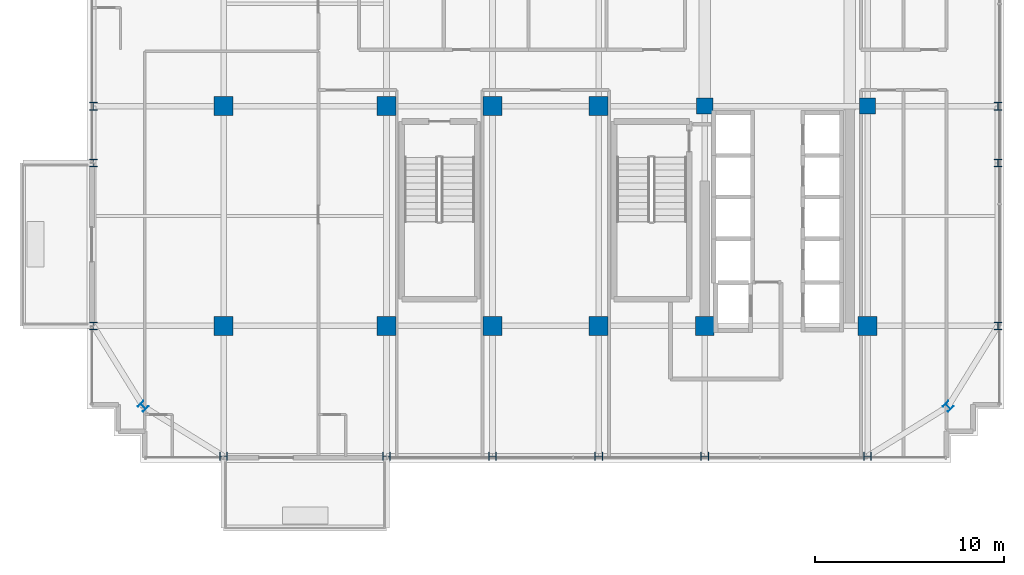
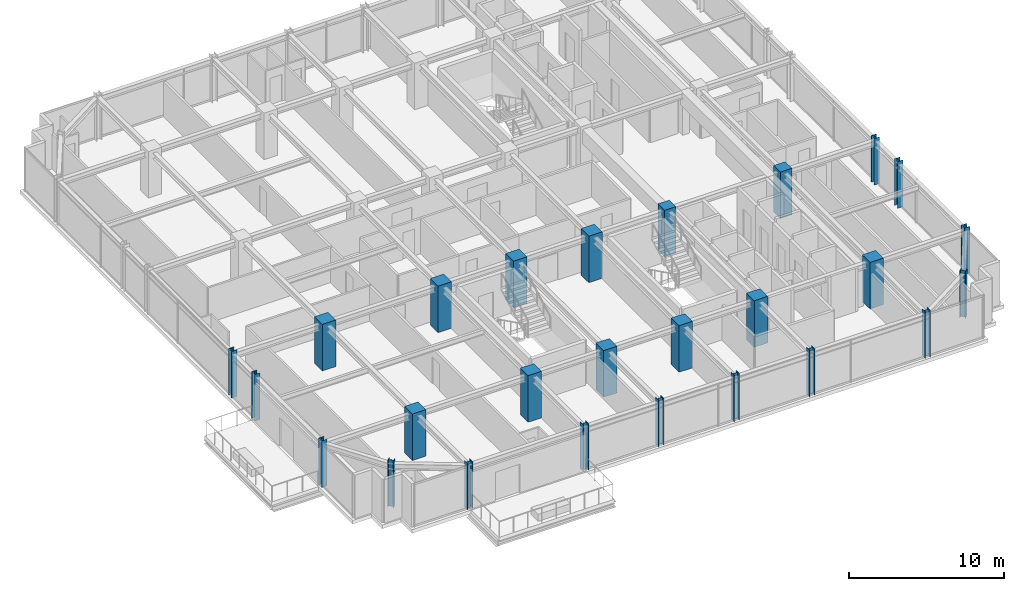
# One storey, part 1 of 35: 26 columns.
"""IFC4 building model written with IfcOpenShell, lengths in metres."""

import ifcopenshell
import ifcopenshell.guid

model = None  # the IFC model being written
_history = None  # IfcOwnerHistory: only IFC2X3 demands one
_inside = {}  # id of a spatial element -> (the spatial element, [elements in it])
_under = {}  # id of a project, library or spatial element -> (it, [spatial elements below it])
_declared = {}  # id of a project -> (the project, [libraries it declares])
_typed = {}  # id of a type object -> (the type object, [elements of that type])
_made_of = {}  # id of a material, layer set ... -> (it, [elements and type objects made of it])


def new_model(schema):
    """Start an empty IFC model of exactly this schema.

    Asked for "IFC4X3", IfcOpenShell would pick the latest addendum, in which some entities
    have other attributes; the version numbers below select the first issue.
    IFC2X3 requires an IfcOwnerHistory on every rooted entity: one is made here for all.
    """
    global model, _history
    if schema == "IFC4X3":
        model = ifcopenshell.file(schema_version=(4, 3, 0, 0))
    else:
        model = ifcopenshell.file(schema=schema)
    _inside.clear()
    _under.clear()
    _declared.clear()
    _typed.clear()
    _made_of.clear()
    _history = None
    if model.schema == "IFC2X3":
        org = make("IfcOrganization", Name="unknown")
        user = make(
            "IfcPersonAndOrganization",
            ThePerson=make("IfcPerson", FamilyName="unknown"),
            TheOrganization=org,
        )
        app = make(
            "IfcApplication",
            ApplicationDeveloper=org,
            Version="unknown",
            ApplicationFullName="unknown",
            ApplicationIdentifier="unknown",
        )
        _history = make(
            "IfcOwnerHistory",
            OwningUser=user,
            OwningApplication=app,
            ChangeAction="ADDED",
            CreationDate=0,
        )
    return model


def make(cls, **values):
    """One entity of the class cls with the attributes given. An attribute that is None is left unset."""
    return model.create_entity(
        cls, **{name: value for name, value in values.items() if value is not None}
    )


def rooted(cls, **values):
    """An entity with a GlobalId (a new one), such as an element, a storey or a relation."""
    return make(cls, GlobalId=ifcopenshell.guid.new(), OwnerHistory=_history, **values)


def si_unit(unit_type, name, prefix=None):
    """IfcSIUnit, for example si_unit("LENGTHUNIT", "METRE", prefix="MILLI")."""
    return make("IfcSIUnit", UnitType=unit_type, Prefix=prefix, Name=name)


def assignment(units):
    """IfcUnitAssignment: the units of a project."""
    return None if units is None else make("IfcUnitAssignment", Units=units)


def point(xyz):
    """IfcCartesianPoint."""
    return None if xyz is None else make("IfcCartesianPoint", Coordinates=xyz)


def direction(xyz):
    """IfcDirection."""
    return None if xyz is None else make("IfcDirection", DirectionRatios=xyz)


def frame(location, z_axis=None, x_axis=None):
    """IfcAxis2Placement3D, a coordinate frame: its origin and axes. An axis left out is left unset."""
    return make(
        "IfcAxis2Placement3D",
        Location=point(location),
        Axis=direction(z_axis),
        RefDirection=direction(x_axis),
    )


def frame_2d(location, x_axis=None):
    """IfcAxis2Placement2D, a coordinate frame in the plane: its origin and x axis."""
    return make(
        "IfcAxis2Placement2D", Location=point(location), RefDirection=direction(x_axis)
    )


def origin():
    """The frame at (0, 0, 0) with its axes left unset."""
    return frame((0.0, 0.0, 0.0))


def origin_2d():
    """The frame at (0, 0) in the plane with its x axis left unset."""
    return frame_2d((0.0, 0.0))


def place(relative_to, where):
    """IfcLocalPlacement: puts the frame where relative to a parent placement (None: the world)."""
    return make(
        "IfcLocalPlacement", PlacementRelTo=relative_to, RelativePlacement=where
    )


def context(
    kind, dimensions, precision=None, world=None, true_north=None, identifier=None
):
    """IfcGeometricRepresentationContext, for example the 3D "Model" context."""
    return make(
        "IfcGeometricRepresentationContext",
        ContextIdentifier=identifier,
        ContextType=kind,
        CoordinateSpaceDimension=dimensions,
        Precision=precision,
        WorldCoordinateSystem=world,
        TrueNorth=true_north,
    )


def subcontext(parent, identifier, kind, view, scale=None):
    """IfcGeometricRepresentationSubContext, for example "Body" below "Model"."""
    return make(
        "IfcGeometricRepresentationSubContext",
        ContextIdentifier=identifier,
        ContextType=kind,
        ParentContext=parent,
        TargetScale=scale,
        TargetView=view,
    )


def project(units=None, contexts=None):
    """IfcProject with its units and contexts."""
    return rooted(
        "IfcProject",
        Name="project",
        RepresentationContexts=contexts,
        UnitsInContext=assignment(units),
    )


def spatial(cls, under=None, at=None, **own):
    """A site, building, storey or space (cls), placed at a placement, below another one or the project."""
    s = rooted(cls, ObjectPlacement=at, **own)
    if under is not None:
        _under.setdefault(under.id(), (under, []))[1].append(s)
    return s


def profile(cls, at=None, kind="AREA", **sizes):
    """A parametric profile (cls). Its sizes go by their IFC names, for example OverallWidth=200.0."""
    return make(cls, ProfileType=kind, Position=at, **sizes)


def rectangle(**sizes):
    """IfcRectangleProfileDef."""
    return profile("IfcRectangleProfileDef", **sizes)


def i_section(**sizes):
    """IfcIShapeProfileDef."""
    return profile("IfcIShapeProfileDef", **sizes)


def extrude(swept, where, along, depth):
    """IfcExtrudedAreaSolid: the profile swept, set in the frame where, extruded along a direction by depth."""
    return make(
        "IfcExtrudedAreaSolid",
        SweptArea=swept,
        Position=where,
        ExtrudedDirection=direction(along),
        Depth=depth,
    )


def shape(context_of_items, identifier, shape_type, items):
    """IfcShapeRepresentation: the items that make up one representation, for example the "Body"."""
    return make(
        "IfcShapeRepresentation",
        ContextOfItems=context_of_items,
        RepresentationIdentifier=identifier,
        RepresentationType=shape_type,
        Items=items,
    )


def source(mapping_origin, context_of_items, identifier, shape_type, items):
    """IfcRepresentationMap: a shape defined once, which mapped items show again and again."""
    return make(
        "IfcRepresentationMap",
        MappingOrigin=mapping_origin,
        MappedRepresentation=shape(context_of_items, identifier, shape_type, items),
    )


def transform(
    local_origin,
    x_axis=None,
    y_axis=None,
    z_axis=None,
    scale=None,
    scale2=None,
    scale3=None,
    uniform=True,
):
    """IfcCartesianTransformationOperator3D, or its non-uniform kind. x_axis, y_axis, z_axis: its Axis1, 2, 3."""
    if uniform:
        return make(
            "IfcCartesianTransformationOperator3D",
            Axis1=direction(x_axis),
            Axis2=direction(y_axis),
            LocalOrigin=point(local_origin),
            Scale=scale,
            Axis3=direction(z_axis),
        )
    return make(
        "IfcCartesianTransformationOperator3DnonUniform",
        Axis1=direction(x_axis),
        Axis2=direction(y_axis),
        LocalOrigin=point(local_origin),
        Scale=scale,
        Axis3=direction(z_axis),
        Scale2=scale2,
        Scale3=scale3,
    )


def mapped(mapping_source, mapping_target):
    """IfcMappedItem: shows the shape of a source again, moved by a transform."""
    return make(
        "IfcMappedItem", MappingSource=mapping_source, MappingTarget=mapping_target
    )


def material(Name=None, Category=None):
    """IfcMaterial."""
    return make("IfcMaterial", Name=Name, Category=Category)


def material_profile(
    of_material, cross_section, Name=None, Category=None, Priority=None
):
    """IfcMaterialProfile: a cross section and its material."""
    return make(
        "IfcMaterialProfile",
        Name=Name,
        Material=of_material,
        Profile=cross_section,
        Priority=Priority,
        Category=Category,
    )


def profile_set(profiles, Name=None, composite=None):
    """IfcMaterialProfileSet."""
    return make(
        "IfcMaterialProfileSet",
        Name=Name,
        MaterialProfiles=profiles,
        CompositeProfile=composite,
    )


def made_of(thing, what):
    """Note that an element or type object is made of a material, layer set ...; save() writes the relation."""
    if what is not None:
        _made_of.setdefault(what.id(), (what, []))[1].append(thing)
    return thing


def type_object(cls, material=None, **own):
    """A type object (cls), such as IfcWallType, which elements share."""
    return made_of(rooted(cls, **own), material)


def element(
    cls,
    number,
    at=None,
    inside=None,
    cuts=None,
    type_object=None,
    material=None,
    context=None,
    identifier="Body",
    shape_type=None,
    held_by="IfcProductDefinitionShape",
    body=None,
    shapes=None,
    **own,
):
    """One element of the class cls, such as IfcWall. Its Tag is "e" and its number.

    at: its placement. inside: the storey or other place that contains it. cuts: it is an
    opening in that element (IfcRelVoidsElement). A single representation is given by context,
    identifier, shape_type and body (its items); several are given by shapes. held_by: the class
    of the entity that holds the representations. save() writes the other relations.
    """
    e = rooted(cls, Tag="e%d" % number, ObjectPlacement=at, **own)
    if body is not None:
        shapes = [shape(context, identifier, shape_type, body)]
    if shapes is not None:
        e.Representation = make(held_by, Representations=shapes)
    if inside is not None:
        _inside.setdefault(inside.id(), (inside, []))[1].append(e)
    if cuts is not None:
        rooted(
            "IfcRelVoidsElement", RelatingBuildingElement=cuts, RelatedOpeningElement=e
        )
    if type_object is not None:
        _typed.setdefault(type_object.id(), (type_object, []))[1].append(e)
    return made_of(e, material)


def aggregate(whole, parts):
    """IfcRelAggregates: a whole, such as a stair, and the parts it consists of."""
    return rooted("IfcRelAggregates", RelatingObject=whole, RelatedObjects=parts)


def save(model, path):
    """Write the relations noted so far, then the file.

    IfcRelAggregates (storeys below a building ...), IfcRelContainedInSpatialStructure (elements
    in a storey), IfcRelDefinesByType, IfcRelAssociatesMaterial and IfcRelDeclares: one each for
    every whole, place, type object, material and project.
    """
    for whole, parts in _under.values():
        aggregate(whole, parts)
    for where, things in _inside.values():
        rooted(
            "IfcRelContainedInSpatialStructure",
            RelatedElements=things,
            RelatingStructure=where,
        )
    for kind, things in _typed.values():
        rooted("IfcRelDefinesByType", RelatedObjects=things, RelatingType=kind)
    for what, things in _made_of.values():
        rooted("IfcRelAssociatesMaterial", RelatedObjects=things, RelatingMaterial=what)
    for by, libraries in _declared.values():
        rooted("IfcRelDeclares", RelatingContext=by, RelatedDefinitions=libraries)
    model.write(path)


model = new_model("IFC4")

# Units and contexts
model_context = context("Model", 3, precision=1e-05, world=origin(), true_north=direction((0.0, 1.0)))
body_context = subcontext(model_context, "Body", "Model", "MODEL_VIEW")
ifc_project = project(units=[si_unit("LENGTHUNIT", "METRE"), si_unit("AREAUNIT", "SQUARE_METRE"), si_unit("VOLUMEUNIT", "CUBIC_METRE"), si_unit("PLANEANGLEUNIT", "RADIAN"), si_unit("MASSUNIT", "GRAM", prefix="KILO")], contexts=[model_context])

# Site, building, storey
site_placement = place(None, origin())
site = spatial("IfcSite", under=ifc_project, at=site_placement, CompositionType="ELEMENT")
building_placement = place(site_placement, origin())
building = spatial("IfcBuilding", under=site, at=building_placement, Name="Nahalor Promenade Grand Hotel", CompositionType="ELEMENT")
storey_placement = place(building_placement, frame((0.0, 0.0, 216.0)))
storey = spatial("IfcBuildingStorey", under=building, at=storey_placement, Name="L55", CompositionType="ELEMENT", Elevation=216.0)

# Columns
ifc_material_1 = material(Name="Concrete B-60 (C50/60)", Category="concrete")
ifc_material_profile_1 = material_profile(ifc_material_1, rectangle(XDim=1.0, YDim=1.0, at=origin_2d()), Name="RC 1000x1000")
ifc_profile_set_1 = profile_set([ifc_material_profile_1], Name="Concrete B-60 (C50/60)")
column_type_1 = type_object("IfcColumnType", Name="Col-RC-1000", PredefinedType="COLUMN", material=ifc_profile_set_1)
shared_shape_1 = source(origin(), body_context, "Body", "SweptSolid", [
    extrude(rectangle(XDim=1.0, YDim=1.0, at=origin_2d()), origin(), (0.0, 0.0, 1.0), 3.655029296875),
])
for number, where, z_axis, x_axis, name in (
    (1, (-17.0, -17.0, 0.0), (0.0, 0.0, 1.0), (1.0, 0.0, 0.0), "COL-L55-I00"),
    (2, (-17.0, -5.39990234375, 0.0), (0.0, 0.0, 1.0), (1.0, 0.0, 0.0), "COL-L55-I01"),
    (3, (-8.39990234375, -17.0, 0.0), (0.0, 0.0, 1.0), (1.0, 0.0, 0.0), "COL-L55-I10"),
    (4, (-8.39990234375, -5.39990234375, 0.0), (0.0, 0.0, 1.0), (1.0, 0.0, 0.0), "COL-L55-I11"),
    (5, (-2.800048828125, -17.0, 0.0), (0.0, 0.0, 1.0), (1.0, 0.0, 0.0), "COL-L55-I20"),
    (6, (-2.800048828125, -5.39990234375, 0.0), (0.0, 0.0, 1.0), (1.0, 0.0, 0.0), "COL-L55-I21"),
    (7, (2.800048828125, -17.0, 0.0), (0.0, 0.0, 1.0), (1.0, 0.0, 0.0), "COL-L55-I30"),
    (8, (2.800048828125, -5.39990234375, 0.0), (0.0, 0.0, 1.0), (1.0, 0.0, 0.0), "COL-L55-I31"),
    (9, (8.39990234375, -17.0, 0.0), (0.0, 0.0, 1.0), (1.0, 0.0, 0.0), "COL-L55-I40"),
    (10, (17.0, -17.0, 0.0), (0.0, 0.0, 1.0), (1.0, 0.0, 0.0), "COL-L55-I50"),
):
    element("IfcColumn", number, at=place(storey_placement, frame(where, z_axis=z_axis, x_axis=x_axis)), inside=storey, type_object=column_type_1, Name=name, PredefinedType="COLUMN", context=body_context, shape_type="MappedRepresentation", body=[
        mapped(shared_shape_1, transform((0.0, 0.0, 0.0), scale=1.0)),
    ])
ifc_material_2 = material(Name="Concrete B-70 (C60/75)", Category="concrete")
ifc_material_profile_2 = material_profile(ifc_material_2, rectangle(XDim=0.85, YDim=0.85, at=origin_2d()), Name="RC 850x850")
ifc_profile_set_2 = profile_set([ifc_material_profile_2], Name="Concrete B-70 (C60/75)")
column_type_2 = type_object("IfcColumnType", Name="Col-Pilaster-850", PredefinedType="PILASTER", material=ifc_profile_set_2)
shared_shape_2 = source(origin(), body_context, "Body", "SweptSolid", [
    extrude(rectangle(XDim=0.85, YDim=0.85, at=origin_2d()), origin(), (0.0, 0.0, 1.0), 3.655029296875),
])
for number, where, z_axis, x_axis, name in (
    (11, (8.39990234375, -5.39990234375, 0.0), (0.0, 0.0, 1.0), (1.0, 0.0, 0.0), "COL-L55-I41"),
    (12, (17.0, -5.39990234375, 0.0), (0.0, 0.0, 1.0), (1.0, 0.0, 0.0), "COL-L55-I51"),
):
    element("IfcColumn", number, at=place(storey_placement, frame(where, z_axis=z_axis, x_axis=x_axis)), inside=storey, type_object=column_type_2, Name=name, PredefinedType="PILASTER", context=body_context, shape_type="MappedRepresentation", body=[
        mapped(shared_shape_2, transform((0.0, 0.0, 0.0), scale=1.0)),
    ])
ifc_material_3 = material(Name="Steel S355JR", Category="steel")
ifc_material_profile_3 = material_profile(ifc_material_3, i_section(OverallWidth=0.401, OverallDepth=0.406, WebThickness=0.0161, FlangeThickness=0.025, at=origin_2d()), Name="HD 400x314")
ifc_profile_set_3 = profile_set([ifc_material_profile_3], Name="Steel S355JR")
column_type_3 = type_object("IfcColumnType", Name="Col-Steel-HD314", PredefinedType="COLUMN", material=ifc_profile_set_3)
shared_shape_3 = source(origin(), body_context, "Body", "SweptSolid", [
    extrude(i_section(OverallWidth=0.401, OverallDepth=0.406, WebThickness=0.0161, FlangeThickness=0.025, at=origin_2d()), origin(), (0.0, 0.0, 1.0), 3.655029296875),
])
for number, where, z_axis, x_axis, name in (
    (13, (-23.8798828125, -17.0, 0.0), (0.0, 0.0, 1.0), (1.0, 0.0, 0.0), "COL-L55-PW-W0"),
    (14, (23.8798828125, -17.0, 0.0), (0.0, 0.0, 1.0), (1.0, 0.0, 0.0), "COL-L55-PW-E0"),
    (15, (-23.8798828125, -8.39990234375, 0.0), (0.0, 0.0, 1.0), (1.0, 0.0, 0.0), "COL-L55-PW-W1"),
    (16, (23.8798828125, -8.39990234375, 0.0), (0.0, 0.0, 1.0), (1.0, 0.0, 0.0), "COL-L55-PW-E1"),
    (17, (-23.8798828125, -5.39990234375, 0.0), (0.0, 0.0, 1.0), (1.0, 0.0, 0.0), "COL-L55-PW-W2"),
    (18, (23.8798828125, -5.39990234375, 0.0), (0.0, 0.0, 1.0), (1.0, 0.0, 0.0), "COL-L55-PW-E2"),
    (19, (-17.0, -23.8798828125, 0.0), (0.0, 0.0, 1.0), (0.0, 1.0, 0.0), "COL-L55-PN-S0"),
    (20, (-8.39990234375, -23.8798828125, 0.0), (0.0, 0.0, 1.0), (0.0, 1.0, 0.0), "COL-L55-PN-S1"),
    (21, (-2.800048828125, -23.8798828125, 0.0), (0.0, 0.0, 1.0), (0.0, 1.0, 0.0), "COL-L55-PN-S2"),
    (22, (2.800048828125, -23.8798828125, 0.0), (0.0, 0.0, 1.0), (0.0, 1.0, 0.0), "COL-L55-PN-S3"),
    (23, (8.39990234375, -23.8798828125, 0.0), (0.0, 0.0, 1.0), (0.0, 1.0, 0.0), "COL-L55-PN-S4"),
    (24, (17.0, -23.8798828125, 0.0), (0.0, 0.0, 1.0), (0.0, 1.0, 0.0), "COL-L55-PN-S5"),
    (25, (-21.25, -21.25, 0.0), (0.0, 0.0, 1.0), (0.707106781187, 0.707106781187, 0.0), "COL-L55-CRN-SW"),
    (26, (21.25, -21.25, 0.0), (0.0, 0.0, 1.0), (0.707106781187, 0.707106781187, 0.0), "COL-L55-CRN-SE"),
):
    element("IfcColumn", number, at=place(storey_placement, frame(where, z_axis=z_axis, x_axis=x_axis)), inside=storey, type_object=column_type_3, Name=name, PredefinedType="COLUMN", context=body_context, shape_type="MappedRepresentation", body=[
        mapped(shared_shape_3, transform((0.0, 0.0, 0.0), scale=1.0)),
    ])

save(model, "model.ifc")
